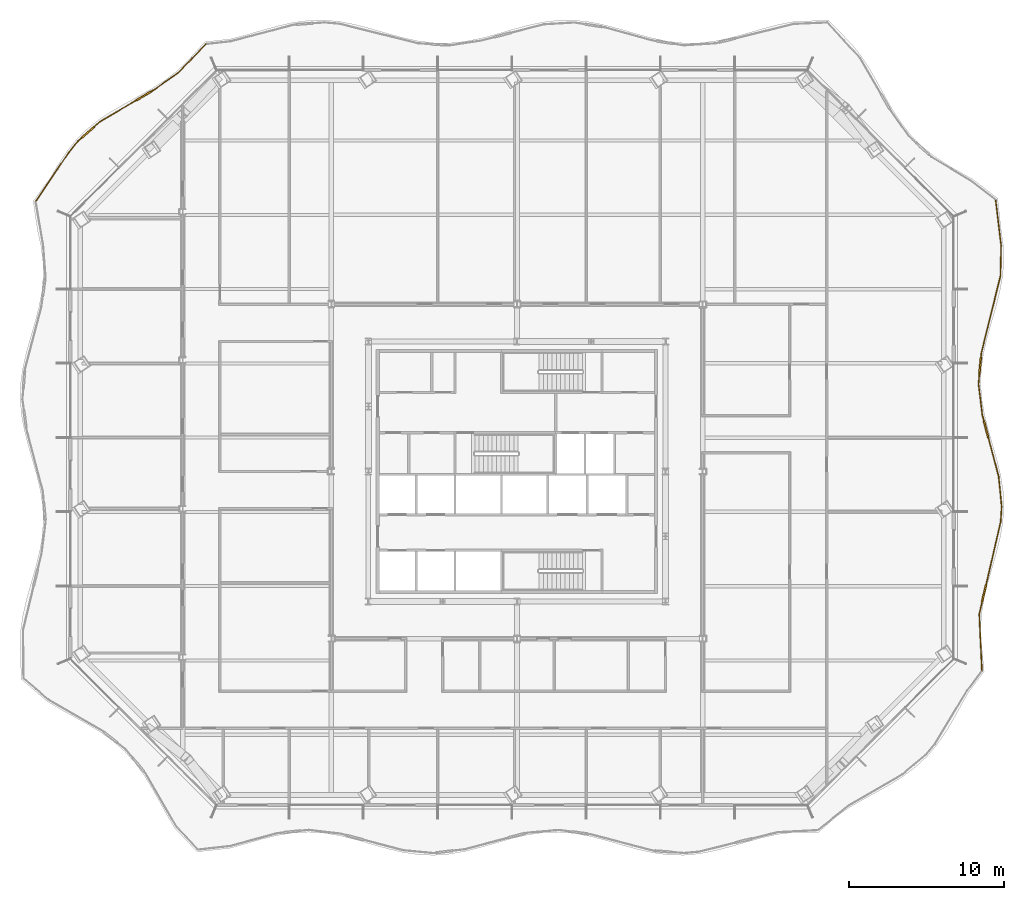
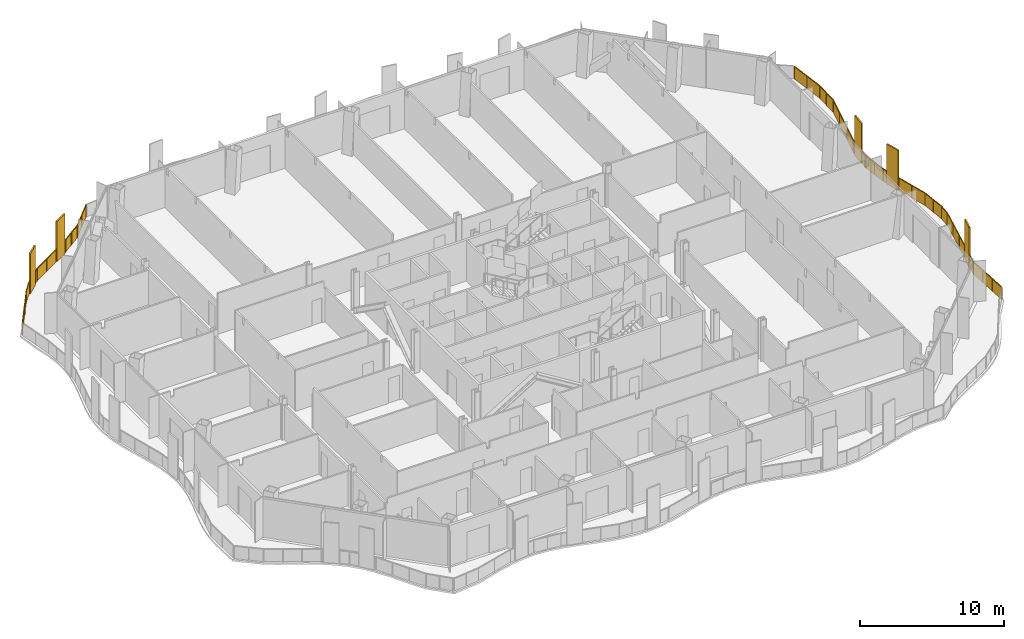
# One storey, part 20 of 22: 2 railings.
"""IFC4 building model written with IfcOpenShell, lengths in metres."""

from ifc_helpers import new_model, si_unit, direction, frame, origin, origin_2d, place, context, subcontext, project, spatial, polyline, rectangle, outline, extrude, material, type_object, element, save


model = new_model("IFC4")

# Units and contexts
model_context = context("Model", 3, precision=1e-05, world=origin(), true_north=direction((0.0, 1.0)))
body_context = subcontext(model_context, "Body", "Model", "MODEL_VIEW")
ifc_project = project(units=[si_unit("LENGTHUNIT", "METRE"), si_unit("AREAUNIT", "SQUARE_METRE"), si_unit("VOLUMEUNIT", "CUBIC_METRE"), si_unit("PLANEANGLEUNIT", "RADIAN"), si_unit("MASSUNIT", "GRAM", prefix="KILO")], contexts=[model_context])

# Site, building, storey
site_placement = place(None, origin())
site = spatial("IfcSite", under=ifc_project, at=site_placement, CompositionType="ELEMENT")
building_placement = place(site_placement, origin())
building = spatial("IfcBuilding", under=site, at=building_placement, Name="Cairn Pilgrim Tower", CompositionType="ELEMENT")
storey_placement = place(building_placement, frame((0.0, 0.0, 112.199951171875)))
storey = spatial("IfcBuildingStorey", under=building, at=storey_placement, Name="L27", CompositionType="ELEMENT", Elevation=112.199951171875)

# Railings
ifc_material = material(Name="Bronze anodised aluminium rail, posts and fin screens with laminated glass infill", Category="aluminium")
railing_type = type_object("IfcRailingType", Name="BALCONY GUARD WITH FIN SCREENS", PredefinedType="GUARDRAIL", material=ifc_material)
railing_1_placement = place(storey_placement, frame((37.251708984375, -10.48095703125, 0.0)))
element("IfcRailing", 1, at=railing_1_placement, inside=storey, type_object=railing_type, Name="Balcony guard BGF-3 with fin screens", PredefinedType="GUARDRAIL", context=body_context, shape_type="SweptSolid", body=[
    extrude(rectangle(XDim=0.050048828125, YDim=0.050048828125, at=origin_2d()), frame((0.0, 0.0, 1.0751953125), z_axis=(-0.046637651631, 0.998911872715, 0.0), x_axis=(-0.998911872715, -0.046637651631, 0.0)), (0.0, 0.0, 1.0), 3.664306640625),
    extrude(rectangle(XDim=1.10009765625, YDim=0.110107421875, at=origin_2d()), frame((0.142333984375, 5.01220703125, 0.0), z_axis=(0.0, 0.0, 1.0), x_axis=(0.225758915707, 0.974183202472, 0.0)), (0.0, 0.0, 1.0), 3.39990234375),
    extrude(rectangle(XDim=0.050048828125, YDim=0.050048828125, at=origin_2d()), frame((-0.1708984375, 3.660400390625, 1.0751953125), z_axis=(0.225758915707, 0.974183202472, 0.0), x_axis=(-0.974183202472, 0.225758915707, 0.0)), (0.0, 0.0, 1.0), 0.83740234375),
    extrude(rectangle(XDim=0.050048828125, YDim=0.050048828125, at=origin_2d()), frame((0.2666015625, 5.5478515625, 1.0751953125), z_axis=(0.225758915707, 0.974183202472, 0.0), x_axis=(-0.974183202472, 0.225758915707, 0.0)), (0.0, 0.0, 1.0), 4.187744140625),
    extrude(rectangle(XDim=0.050048828125, YDim=0.050048828125, at=origin_2d()), frame((1.2119140625, 9.62744140625, 1.0751953125), z_axis=(0.066902955289, 0.997759487338, 0.0), x_axis=(-0.997759487338, 0.066902955289, 0.0)), (0.0, 0.0, 1.0), 0.970703125),
    extrude(rectangle(XDim=0.050048828125, YDim=0.050048828125, at=origin_2d()), frame((1.27685546875, 10.595947265625, 1.0751953125), z_axis=(-0.098951920377, 0.995092215553, 0.0), x_axis=(-0.995092215553, -0.098951920377, 0.0)), (0.0, 0.0, 1.0), 1.971435546875),
    extrude(rectangle(XDim=1.10009765625, YDim=0.110107421875, at=origin_2d()), frame((0.26904296875, 15.6220703125, 0.0), z_axis=(0.0, 0.0, 1.0), x_axis=(-0.256382575682, 0.966575384999, 0.0)), (0.0, 0.0, 1.0), 3.39990234375),
    extrude(rectangle(XDim=0.050048828125, YDim=0.050048828125, at=origin_2d()), frame((1.081787109375, 12.5576171875, 1.0751953125), z_axis=(-0.256382575682, 0.966575384999, 0.0), x_axis=(-0.966575384999, -0.256382575682, 0.0)), (0.0, 0.0, 1.0), 2.620361328125),
    extrude(rectangle(XDim=0.050048828125, YDim=0.050048828125, at=origin_2d()), frame((0.1279296875, 16.153564453125, 1.0751953125), z_axis=(-0.256382575682, 0.966575384999, 0.0), x_axis=(-0.966575384999, -0.256382575682, 0.0)), (0.0, 0.0, 1.0), 0.3876953125),
    extrude(rectangle(XDim=0.050048828125, YDim=0.050048828125, at=origin_2d()), frame((0.028564453125, 16.5283203125, 1.0751953125), z_axis=(-0.123516131403, 0.992342564482, 0.0), x_axis=(-0.992342564482, -0.123516131403, 0.0)), (0.0, 0.0, 1.0), 2.028076171875),
    extrude(rectangle(XDim=1.10009765625, YDim=0.110107421875, at=origin_2d()), frame((-0.11279296875, 19.707275390625, 0.0), z_axis=(0.0, 0.0, 1.0), x_axis=(0.093191129914, 0.995648237735, 0.0)), (0.0, 0.0, 1.0), 3.39990234375),
    extrude(rectangle(XDim=0.050048828125, YDim=0.050048828125, at=origin_2d()), frame((-0.221923828125, 18.540771484375, 1.0751953125), z_axis=(0.093191129914, 0.995648237735, 0.0), x_axis=(-0.995648237735, 0.093191129914, 0.0)), (0.0, 0.0, 1.0), 0.62158203125),
    extrude(rectangle(XDim=0.050048828125, YDim=0.050048828125, at=origin_2d()), frame((-0.0615234375, 20.2548828125, 1.0751953125), z_axis=(0.093191129914, 0.995648237735, 0.0), x_axis=(-0.995648237735, 0.093191129914, 0.0)), (0.0, 0.0, 1.0), 0.30078125),
    extrude(rectangle(XDim=0.050048828125, YDim=0.050048828125, at=origin_2d()), frame((-0.033447265625, 20.554443359375, 1.0751953125), z_axis=(0.240759309664, 0.970584851937, 0.0), x_axis=(-0.970584851937, 0.240759309664, 0.0)), (0.0, 0.0, 1.0), 5.11083984375),
    extrude(rectangle(XDim=0.050048828125, YDim=0.050048828125, at=origin_2d()), frame((1.197021484375, 25.514892578125, 1.0751953125), z_axis=(0.022800651264, 0.999740031359, 0.0), x_axis=(-0.999740031359, 0.022800651264, 0.0)), (0.0, 0.0, 1.0), 1.95947265625),
    extrude(rectangle(XDim=0.050048828125, YDim=0.050048828125, at=origin_2d()), frame((1.24169921875, 27.473876953125, 1.0751953125), z_axis=(-0.11918438469, 0.992872138015, 0.0), x_axis=(-0.992872138015, -0.11918438469, 0.0)), (0.0, 0.0, 1.0), 2.94970703125),
    extrude(rectangle(XDim=0.050048828125, YDim=0.050048828125, at=origin_2d()), origin(), (0.0, 0.0, 1.0), 1.050048828125),
    extrude(rectangle(XDim=0.050048828125, YDim=0.050048828125, at=origin_2d()), frame((-0.056884765625, 1.22021484375, 0.0)), (0.0, 0.0, 1.0), 1.050048828125),
    extrude(rectangle(XDim=0.050048828125, YDim=0.050048828125, at=origin_2d()), frame((-0.114013671875, 2.440185546875, 0.0)), (0.0, 0.0, 1.0), 1.050048828125),
    extrude(rectangle(XDim=0.050048828125, YDim=0.050048828125, at=origin_2d()), frame((-0.1708984375, 3.660400390625, 0.0)), (0.0, 0.0, 1.0), 1.050048828125),
    extrude(rectangle(XDim=0.050048828125, YDim=0.050048828125, at=origin_2d()), frame((0.012451171875, 4.451904296875, 0.0)), (0.0, 0.0, 1.0), 1.050048828125),
    extrude(rectangle(XDim=0.050048828125, YDim=0.050048828125, at=origin_2d()), frame((0.272216796875, 5.572265625, 0.0)), (0.0, 0.0, 1.0), 1.050048828125),
    extrude(rectangle(XDim=0.050048828125, YDim=0.050048828125, at=origin_2d()), frame((0.58544921875, 6.924072265625, 0.0)), (0.0, 0.0, 1.0), 1.050048828125),
    extrude(rectangle(XDim=0.050048828125, YDim=0.050048828125, at=origin_2d()), frame((0.898681640625, 8.275634765625, 0.0)), (0.0, 0.0, 1.0), 1.050048828125),
    extrude(rectangle(XDim=0.050048828125, YDim=0.050048828125, at=origin_2d()), frame((1.2119140625, 9.62744140625, 0.0)), (0.0, 0.0, 1.0), 1.050048828125),
    extrude(rectangle(XDim=0.050048828125, YDim=0.050048828125, at=origin_2d()), frame((1.27685546875, 10.595947265625, 0.0)), (0.0, 0.0, 1.0), 1.050048828125),
    extrude(rectangle(XDim=0.050048828125, YDim=0.050048828125, at=origin_2d()), frame((1.17919921875, 11.57666015625, 0.0)), (0.0, 0.0, 1.0), 1.050048828125),
    extrude(rectangle(XDim=0.050048828125, YDim=0.050048828125, at=origin_2d()), frame((1.081787109375, 12.5576171875, 0.0)), (0.0, 0.0, 1.0), 1.050048828125),
    extrude(rectangle(XDim=0.050048828125, YDim=0.050048828125, at=origin_2d()), frame((0.7490234375, 13.811767578125, 0.0)), (0.0, 0.0, 1.0), 1.050048828125),
    extrude(rectangle(XDim=0.050048828125, YDim=0.050048828125, at=origin_2d()), frame((0.41650390625, 15.066162109375, 0.0)), (0.0, 0.0, 1.0), 1.050048828125),
    extrude(rectangle(XDim=0.050048828125, YDim=0.050048828125, at=origin_2d()), frame((0.12158203125, 16.177734375, 0.0)), (0.0, 0.0, 1.0), 1.050048828125),
    extrude(rectangle(XDim=0.050048828125, YDim=0.050048828125, at=origin_2d()), frame((0.028564453125, 16.5283203125, 0.0)), (0.0, 0.0, 1.0), 1.050048828125),
    extrude(rectangle(XDim=0.050048828125, YDim=0.050048828125, at=origin_2d()), frame((-0.0966796875, 17.53466796875, 0.0)), (0.0, 0.0, 1.0), 1.050048828125),
    extrude(rectangle(XDim=0.050048828125, YDim=0.050048828125, at=origin_2d()), frame((-0.221923828125, 18.540771484375, 0.0)), (0.0, 0.0, 1.0), 1.050048828125),
    extrude(rectangle(XDim=0.050048828125, YDim=0.050048828125, at=origin_2d()), frame((-0.166259765625, 19.134765625, 0.0)), (0.0, 0.0, 1.0), 1.050048828125),
    extrude(rectangle(XDim=0.050048828125, YDim=0.050048828125, at=origin_2d()), frame((-0.05908203125, 20.27978515625, 0.0)), (0.0, 0.0, 1.0), 1.050048828125),
    extrude(rectangle(XDim=0.050048828125, YDim=0.050048828125, at=origin_2d()), frame((-0.033447265625, 20.554443359375, 0.0)), (0.0, 0.0, 1.0), 1.050048828125),
    extrude(rectangle(XDim=0.050048828125, YDim=0.050048828125, at=origin_2d()), frame((0.376708984375, 22.2080078125, 0.0)), (0.0, 0.0, 1.0), 1.050048828125),
    extrude(rectangle(XDim=0.050048828125, YDim=0.050048828125, at=origin_2d()), frame((0.786865234375, 23.861328125, 0.0)), (0.0, 0.0, 1.0), 1.050048828125),
    extrude(rectangle(XDim=0.050048828125, YDim=0.050048828125, at=origin_2d()), frame((1.197021484375, 25.514892578125, 0.0)), (0.0, 0.0, 1.0), 1.050048828125),
    extrude(rectangle(XDim=0.050048828125, YDim=0.050048828125, at=origin_2d()), frame((1.21923828125, 26.494384765625, 0.0)), (0.0, 0.0, 1.0), 1.050048828125),
    extrude(rectangle(XDim=0.050048828125, YDim=0.050048828125, at=origin_2d()), frame((1.24169921875, 27.473876953125, 0.0)), (0.0, 0.0, 1.0), 1.050048828125),
    extrude(rectangle(XDim=0.050048828125, YDim=0.050048828125, at=origin_2d()), frame((1.06591796875, 28.938232421875, 0.0)), (0.0, 0.0, 1.0), 1.050048828125),
    extrude(rectangle(XDim=0.050048828125, YDim=0.050048828125, at=origin_2d()), frame((0.89013671875, 30.402587890625, 0.0)), (0.0, 0.0, 1.0), 1.050048828125),
    extrude(outline(polyline([(0.02490234375, 0.0), (1.196533203125, 0.0), (1.196533203125, 1.050048828125), (0.02490234375, 1.050048828125), (0.02490234375, 0.0)])), frame((-0.005859375, -0.000244140625, 0.0), z_axis=(0.998911872715, 0.046637651631, 0.0), x_axis=(-0.046637651631, 0.998911872715, 0.0)), (0.0, 0.0, 1.0), 0.011962890625),
    extrude(outline(polyline([(0.02490234375, 0.0), (1.196533203125, 0.0), (1.196533203125, 1.050048828125), (0.02490234375, 1.050048828125), (0.02490234375, 0.0)])), frame((-0.06298828125, 1.219970703125, 0.0), z_axis=(0.998911872715, 0.046637651631, 0.0), x_axis=(-0.046637651631, 0.998911872715, 0.0)), (0.0, 0.0, 1.0), 0.011962890625),
    extrude(outline(polyline([(0.02490234375, 0.0), (1.196533203125, 0.0), (1.196533203125, 1.050048828125), (0.02490234375, 1.050048828125), (0.02490234375, 0.0)])), frame((-0.119873046875, 2.43994140625, 0.0), z_axis=(0.998911872715, 0.046637651631, 0.0), x_axis=(-0.046637651631, 0.998911872715, 0.0)), (0.0, 0.0, 1.0), 0.011962890625),
    extrude(outline(polyline([(0.02490234375, 0.0), (0.787353515625, 0.0), (0.787353515625, 1.050048828125), (0.02490234375, 1.050048828125), (0.02490234375, 0.0)])), frame((-0.1767578125, 3.661865234375, 0.0), z_axis=(0.974183202472, -0.225758915707, 0.0), x_axis=(0.225758915707, 0.974183202472, 0.0)), (0.0, 0.0, 1.0), 0.011962890625),
    extrude(outline(polyline([(0.02490234375, 0.0), (1.362548828125, 0.0), (1.362548828125, 1.050048828125), (0.02490234375, 1.050048828125), (0.02490234375, 0.0)])), frame((0.266357421875, 5.57373046875, 0.0), z_axis=(0.974183202472, -0.225758915707, 0.0), x_axis=(0.225758915707, 0.974183202472, 0.0)), (0.0, 0.0, 1.0), 0.011962890625),
    extrude(outline(polyline([(0.02490234375, 0.0), (1.362548828125, 0.0), (1.362548828125, 1.050048828125), (0.02490234375, 1.050048828125), (0.02490234375, 0.0)])), frame((0.57958984375, 6.92529296875, 0.0), z_axis=(0.974183202472, -0.225758915707, 0.0), x_axis=(0.225758915707, 0.974183202472, 0.0)), (0.0, 0.0, 1.0), 0.011962890625),
    extrude(outline(polyline([(0.02490234375, 0.0), (1.362548828125, 0.0), (1.362548828125, 1.050048828125), (0.02490234375, 1.050048828125), (0.02490234375, 0.0)])), frame((0.892822265625, 8.277099609375, 0.0), z_axis=(0.974183202472, -0.225758915707, 0.0), x_axis=(0.225758915707, 0.974183202472, 0.0)), (0.0, 0.0, 1.0), 0.011962890625),
    extrude(outline(polyline([(0.02490234375, 0.0), (0.945556640625, 0.0), (0.945556640625, 1.050048828125), (0.02490234375, 1.050048828125), (0.02490234375, 0.0)])), frame((1.2060546875, 9.6279296875, 0.0), z_axis=(0.997759487338, -0.066902955289, 0.0), x_axis=(0.066902955289, 0.997759487338, 0.0)), (0.0, 0.0, 1.0), 0.011962890625),
    extrude(outline(polyline([(0.02490234375, 0.0), (0.960693359375, 0.0), (0.960693359375, 1.050048828125), (0.02490234375, 1.050048828125), (0.02490234375, 0.0)])), frame((1.27099609375, 10.595458984375, 0.0), z_axis=(0.995092215553, 0.098951920377, 0.0), x_axis=(-0.098951920377, 0.995092215553, 0.0)), (0.0, 0.0, 1.0), 0.011962890625),
    extrude(outline(polyline([(0.02490234375, 0.0), (0.960693359375, 0.0), (0.960693359375, 1.050048828125), (0.02490234375, 1.050048828125), (0.02490234375, 0.0)])), frame((1.17333984375, 11.576171875, 0.0), z_axis=(0.995092215553, 0.098951920377, 0.0), x_axis=(-0.098951920377, 0.995092215553, 0.0)), (0.0, 0.0, 1.0), 0.011962890625),
    extrude(outline(polyline([(0.02490234375, 0.0), (1.272705078125, 0.0), (1.272705078125, 1.050048828125), (0.02490234375, 1.050048828125), (0.02490234375, 0.0)])), frame((1.075927734375, 12.55615234375, 0.0), z_axis=(0.966575384999, 0.256382575682, 0.0), x_axis=(-0.256382575682, 0.966575384999, 0.0)), (0.0, 0.0, 1.0), 0.011962890625),
    extrude(outline(polyline([(0.02490234375, 0.0), (1.272705078125, 0.0), (1.272705078125, 1.050048828125), (0.02490234375, 1.050048828125), (0.02490234375, 0.0)])), frame((0.743408203125, 13.810302734375, 0.0), z_axis=(0.966575384999, 0.256382575682, 0.0), x_axis=(-0.256382575682, 0.966575384999, 0.0)), (0.0, 0.0, 1.0), 0.011962890625),
    extrude(outline(polyline([(0.02490234375, 0.0), (0.337646484375, 0.0), (0.337646484375, 1.050048828125), (0.02490234375, 1.050048828125), (0.02490234375, 0.0)])), frame((0.11572265625, 16.17626953125, 0.0), z_axis=(0.966575384999, 0.256382575682, 0.0), x_axis=(-0.256382575682, 0.966575384999, 0.0)), (0.0, 0.0, 1.0), 0.011962890625),
    extrude(outline(polyline([(0.02490234375, 0.0), (0.989013671875, 0.0), (0.989013671875, 1.050048828125), (0.02490234375, 1.050048828125), (0.02490234375, 0.0)])), frame((0.022705078125, 16.527587890625, 0.0), z_axis=(0.992342564482, 0.123516131403, 0.0), x_axis=(-0.123516131403, 0.992342564482, 0.0)), (0.0, 0.0, 1.0), 0.011962890625),
    extrude(outline(polyline([(0.02490234375, 0.0), (0.989013671875, 0.0), (0.989013671875, 1.050048828125), (0.02490234375, 1.050048828125), (0.02490234375, 0.0)])), frame((-0.1025390625, 17.53369140625, 0.0), z_axis=(0.992342564482, 0.123516131403, 0.0), x_axis=(-0.123516131403, 0.992342564482, 0.0)), (0.0, 0.0, 1.0), 0.011962890625),
    extrude(outline(polyline([(0.02490234375, 0.0), (0.571533203125, 0.0), (0.571533203125, 1.050048828125), (0.02490234375, 1.050048828125), (0.02490234375, 0.0)])), frame((-0.227783203125, 18.541259765625, 0.0), z_axis=(0.995648237735, -0.093191129914, 0.0), x_axis=(0.093191129914, 0.995648237735, 0.0)), (0.0, 0.0, 1.0), 0.011962890625),
    extrude(outline(polyline([(0.02490234375, 0.0), (0.250732421875, 0.0), (0.250732421875, 1.050048828125), (0.02490234375, 1.050048828125), (0.02490234375, 0.0)])), frame((-0.065185546875, 20.2802734375, 0.0), z_axis=(0.995648237735, -0.093191129914, 0.0), x_axis=(0.093191129914, 0.995648237735, 0.0)), (0.0, 0.0, 1.0), 0.011962890625),
    extrude(outline(polyline([(0.02490234375, 0.0), (1.678466796875, 0.0), (1.678466796875, 1.050048828125), (0.02490234375, 1.050048828125), (0.02490234375, 0.0)])), frame((-0.039306640625, 20.555908203125, 0.0), z_axis=(0.970584851937, -0.240759309664, 0.0), x_axis=(0.240759309664, 0.970584851937, 0.0)), (0.0, 0.0, 1.0), 0.011962890625),
    extrude(outline(polyline([(0.02490234375, 0.0), (1.678466796875, 0.0), (1.678466796875, 1.050048828125), (0.02490234375, 1.050048828125), (0.02490234375, 0.0)])), frame((0.370849609375, 22.20947265625, 0.0), z_axis=(0.970584851937, -0.240759309664, 0.0), x_axis=(0.240759309664, 0.970584851937, 0.0)), (0.0, 0.0, 1.0), 0.011962890625),
    extrude(outline(polyline([(0.02490234375, 0.0), (1.678466796875, 0.0), (1.678466796875, 1.050048828125), (0.02490234375, 1.050048828125), (0.02490234375, 0.0)])), frame((0.781005859375, 23.86279296875, 0.0), z_axis=(0.970584851937, -0.240759309664, 0.0), x_axis=(0.240759309664, 0.970584851937, 0.0)), (0.0, 0.0, 1.0), 0.011962890625),
    extrude(outline(polyline([(0.02490234375, 0.0), (0.954833984375, 0.0), (0.954833984375, 1.050048828125), (0.02490234375, 1.050048828125), (0.02490234375, 0.0)])), frame((1.191162109375, 25.51513671875, 0.0), z_axis=(0.999740031359, -0.022800651264, 0.0), x_axis=(0.022800651264, 0.999740031359, 0.0)), (0.0, 0.0, 1.0), 0.011962890625),
    extrude(outline(polyline([(0.02490234375, 0.0), (0.954833984375, 0.0), (0.954833984375, 1.050048828125), (0.02490234375, 1.050048828125), (0.02490234375, 0.0)])), frame((1.21337890625, 26.49462890625, 0.0), z_axis=(0.999740031359, -0.022800651264, 0.0), x_axis=(0.022800651264, 0.999740031359, 0.0)), (0.0, 0.0, 1.0), 0.011962890625),
    extrude(outline(polyline([(0.02490234375, 0.0), (1.449951171875, 0.0), (1.449951171875, 1.050048828125), (0.02490234375, 1.050048828125), (0.02490234375, 0.0)])), frame((1.23583984375, 27.47314453125, 0.0), z_axis=(0.992872138015, 0.11918438469, 0.0), x_axis=(-0.11918438469, 0.992872138015, 0.0)), (0.0, 0.0, 1.0), 0.011962890625),
    extrude(outline(polyline([(0.02490234375, 0.0), (1.449951171875, 0.0), (1.449951171875, 1.050048828125), (0.02490234375, 1.050048828125), (0.02490234375, 0.0)])), frame((1.06005859375, 28.9375, 0.0), z_axis=(0.992872138015, 0.11918438469, 0.0), x_axis=(-0.11918438469, 0.992872138015, 0.0)), (0.0, 0.0, 1.0), 0.011962890625),
])
railing_2_placement = place(storey_placement, frame((-12.907470703125, 30.031494140625, 0.0)))
element("IfcRailing", 2, at=railing_2_placement, inside=storey, type_object=railing_type, Name="Balcony guard BGF-6 with fin screens", PredefinedType="GUARDRAIL", context=body_context, shape_type="SweptSolid", body=[
    extrude(rectangle(XDim=0.050048828125, YDim=0.050048828125, at=origin_2d()), frame((0.0, 0.0, 1.0751953125), z_axis=(-0.690453048919, -0.72337720951, 0.0), x_axis=(0.72337720951, -0.690453048919, 0.0)), (0.0, 0.0, 1.0), 2.558349609375),
    extrude(rectangle(XDim=0.050048828125, YDim=0.050048828125, at=origin_2d()), frame((-1.766357421875, -1.8505859375, 1.0751953125), z_axis=(-0.818169856103, -0.574976596536, 0.0), x_axis=(0.574976596536, -0.818169856103, 0.0)), (0.0, 0.0, 1.0), 1.98974609375),
    extrude(rectangle(XDim=1.10009765625, YDim=0.110107421875, at=origin_2d()), frame((-3.998046875, -3.34912109375, 0.0), z_axis=(0.0, 0.0, 1.0), x_axis=(-0.862360743069, -0.50629433022, 0.0)), (0.0, 0.0, 1.0), 3.39990234375),
    extrude(rectangle(XDim=0.050048828125, YDim=0.050048828125, at=origin_2d()), frame((-3.394287109375, -2.99462890625, 1.0751953125), z_axis=(-0.862360743069, -0.50629433022, 0.0), x_axis=(0.50629433022, -0.862360743069, 0.0)), (0.0, 0.0, 1.0), 0.14990234375),
    extrude(rectangle(XDim=0.050048828125, YDim=0.050048828125, at=origin_2d()), frame((-4.47216796875, -3.62744140625, 1.0751953125), z_axis=(-0.862360743069, -0.50629433022, 0.0), x_axis=(0.50629433022, -0.862360743069, 0.0)), (0.0, 0.0, 1.0), 2.74951171875),
    extrude(rectangle(XDim=1.10009765625, YDim=0.110107421875, at=origin_2d()), frame((-7.635009765625, -5.72412109375, 0.0), z_axis=(0.0, 0.0, 1.0), x_axis=(-0.747008429939, -0.664814564823, 0.0)), (0.0, 0.0, 1.0), 3.39990234375),
    extrude(rectangle(XDim=0.050048828125, YDim=0.050048828125, at=origin_2d()), frame((-6.84326171875, -5.01953125, 1.0751953125), z_axis=(-0.747008429939, -0.664814564823, 0.0), x_axis=(0.664814564823, -0.747008429939, 0.0)), (0.0, 0.0, 1.0), 0.510009765625),
    extrude(rectangle(XDim=0.050048828125, YDim=0.050048828125, at=origin_2d()), frame((-8.0458984375, -6.08984375, 1.0751953125), z_axis=(-0.747008429939, -0.664814564823, 0.0), x_axis=(0.664814564823, -0.747008429939, 0.0)), (0.0, 0.0, 1.0), 0.305908203125),
    extrude(rectangle(XDim=0.050048828125, YDim=0.050048828125, at=origin_2d()), frame((-8.2744140625, -6.293212890625, 1.0751953125), z_axis=(-0.629323074443, -0.77714378848, 0.0), x_axis=(0.77714378848, -0.629323074443, 0.0)), (0.0, 0.0, 1.0), 0.956298828125),
    extrude(rectangle(XDim=0.050048828125, YDim=0.050048828125, at=origin_2d()), frame((-8.876220703125, -7.036376953125, 1.0751953125), z_axis=(-0.560389616553, -0.828229121475, 0.0), x_axis=(0.828229121475, -0.560389616553, 0.0)), (0.0, 0.0, 1.0), 3.74462890625),
    extrude(rectangle(XDim=0.050048828125, YDim=0.050048828125, at=origin_2d()), origin(), (0.0, 0.0, 1.0), 1.050048828125),
    extrude(rectangle(XDim=0.050048828125, YDim=0.050048828125, at=origin_2d()), frame((-0.88330078125, -0.92529296875, 0.0)), (0.0, 0.0, 1.0), 1.050048828125),
    extrude(rectangle(XDim=0.050048828125, YDim=0.050048828125, at=origin_2d()), frame((-1.766357421875, -1.8505859375, 0.0)), (0.0, 0.0, 1.0), 1.050048828125),
    extrude(rectangle(XDim=0.050048828125, YDim=0.050048828125, at=origin_2d()), frame((-2.580322265625, -2.422607421875, 0.0)), (0.0, 0.0, 1.0), 1.050048828125),
    extrude(rectangle(XDim=0.050048828125, YDim=0.050048828125, at=origin_2d()), frame((-3.394287109375, -2.99462890625, 0.0)), (0.0, 0.0, 1.0), 1.050048828125),
    extrude(rectangle(XDim=0.050048828125, YDim=0.050048828125, at=origin_2d()), frame((-3.502197265625, -3.057861328125, 0.0)), (0.0, 0.0, 1.0), 1.050048828125),
    extrude(rectangle(XDim=0.050048828125, YDim=0.050048828125, at=origin_2d()), frame((-4.493896484375, -3.64013671875, 0.0)), (0.0, 0.0, 1.0), 1.050048828125),
    extrude(rectangle(XDim=0.050048828125, YDim=0.050048828125, at=origin_2d()), frame((-5.66845703125, -4.329833984375, 0.0)), (0.0, 0.0, 1.0), 1.050048828125),
    extrude(rectangle(XDim=0.050048828125, YDim=0.050048828125, at=origin_2d()), frame((-6.84326171875, -5.01953125, 0.0)), (0.0, 0.0, 1.0), 1.050048828125),
    extrude(rectangle(XDim=0.050048828125, YDim=0.050048828125, at=origin_2d()), frame((-7.20556640625, -5.342041015625, 0.0)), (0.0, 0.0, 1.0), 1.050048828125),
    extrude(rectangle(XDim=0.050048828125, YDim=0.050048828125, at=origin_2d()), frame((-8.064697265625, -6.1064453125, 0.0)), (0.0, 0.0, 1.0), 1.050048828125),
    extrude(rectangle(XDim=0.050048828125, YDim=0.050048828125, at=origin_2d()), frame((-8.2744140625, -6.293212890625, 0.0)), (0.0, 0.0, 1.0), 1.050048828125),
    extrude(rectangle(XDim=0.050048828125, YDim=0.050048828125, at=origin_2d()), frame((-8.876220703125, -7.036376953125, 0.0)), (0.0, 0.0, 1.0), 1.050048828125),
    extrude(rectangle(XDim=0.050048828125, YDim=0.050048828125, at=origin_2d()), frame((-9.57568359375, -8.070068359375, 0.0)), (0.0, 0.0, 1.0), 1.050048828125),
    extrude(rectangle(XDim=0.050048828125, YDim=0.050048828125, at=origin_2d()), frame((-10.275146484375, -9.10400390625, 0.0)), (0.0, 0.0, 1.0), 1.050048828125),
    extrude(rectangle(XDim=0.050048828125, YDim=0.050048828125, at=origin_2d()), frame((-10.974609375, -10.1376953125, 0.0)), (0.0, 0.0, 1.0), 1.050048828125),
    extrude(outline(polyline([(0.02490234375, 0.0), (1.254150390625, 0.0), (1.254150390625, 1.050048828125), (0.02490234375, 1.050048828125), (0.02490234375, 0.0)])), frame((0.00439453125, -0.004150390625, 0.0), z_axis=(-0.72337720951, 0.690453048919, 0.0), x_axis=(-0.690453048919, -0.72337720951, 0.0)), (0.0, 0.0, 1.0), 0.011962890625),
    extrude(outline(polyline([(0.02490234375, 0.0), (1.254150390625, 0.0), (1.254150390625, 1.050048828125), (0.02490234375, 1.050048828125), (0.02490234375, 0.0)])), frame((-0.87890625, -0.929443359375, 0.0), z_axis=(-0.72337720951, 0.690453048919, 0.0), x_axis=(-0.690453048919, -0.72337720951, 0.0)), (0.0, 0.0, 1.0), 0.011962890625),
    extrude(outline(polyline([(0.02490234375, 0.0), (0.9697265625, 0.0), (0.9697265625, 1.050048828125), (0.02490234375, 1.050048828125), (0.02490234375, 0.0)])), frame((-1.762939453125, -1.85546875, 0.0), z_axis=(-0.574976596536, 0.818169856103, 0.0), x_axis=(-0.818169856103, -0.574976596536, 0.0)), (0.0, 0.0, 1.0), 0.011962890625),
    extrude(outline(polyline([(0.02490234375, 0.0), (0.9697265625, 0.0), (0.9697265625, 1.050048828125), (0.02490234375, 1.050048828125), (0.02490234375, 0.0)])), frame((-2.576904296875, -2.427490234375, 0.0), z_axis=(-0.574976596536, 0.818169856103, 0.0), x_axis=(-0.818169856103, -0.574976596536, 0.0)), (0.0, 0.0, 1.0), 0.011962890625),
    extrude(outline(polyline([(0.02490234375, 0.0), (0.099853515625, 0.0), (0.099853515625, 1.050048828125), (0.02490234375, 1.050048828125), (0.02490234375, 0.0)])), frame((-3.391357421875, -2.999755859375, 0.0), z_axis=(-0.50629433022, 0.862360743069, 0.0), x_axis=(-0.862360743069, -0.50629433022, 0.0)), (0.0, 0.0, 1.0), 0.011962890625),
    extrude(outline(polyline([(0.02490234375, 0.0), (1.337158203125, 0.0), (1.337158203125, 1.050048828125), (0.02490234375, 1.050048828125), (0.02490234375, 0.0)])), frame((-4.49072265625, -3.645263671875, 0.0), z_axis=(-0.50629433022, 0.862360743069, 0.0), x_axis=(-0.862360743069, -0.50629433022, 0.0)), (0.0, 0.0, 1.0), 0.011962890625),
    extrude(outline(polyline([(0.02490234375, 0.0), (1.337158203125, 0.0), (1.337158203125, 1.050048828125), (0.02490234375, 1.050048828125), (0.02490234375, 0.0)])), frame((-5.66552734375, -4.3349609375, 0.0), z_axis=(-0.50629433022, 0.862360743069, 0.0), x_axis=(-0.862360743069, -0.50629433022, 0.0)), (0.0, 0.0, 1.0), 0.011962890625),
    extrude(outline(polyline([(0.02490234375, 0.0), (0.4599609375, 0.0), (0.4599609375, 1.050048828125), (0.02490234375, 1.050048828125), (0.02490234375, 0.0)])), frame((-6.83935546875, -5.02392578125, 0.0), z_axis=(-0.664814564823, 0.747008429939, 0.0), x_axis=(-0.747008429939, -0.664814564823, 0.0)), (0.0, 0.0, 1.0), 0.011962890625),
    extrude(outline(polyline([(0.02490234375, 0.0), (0.255859375, 0.0), (0.255859375, 1.050048828125), (0.02490234375, 1.050048828125), (0.02490234375, 0.0)])), frame((-8.060546875, -6.111083984375, 0.0), z_axis=(-0.664814564823, 0.747008429939, 0.0), x_axis=(-0.747008429939, -0.664814564823, 0.0)), (0.0, 0.0, 1.0), 0.011962890625),
    extrude(outline(polyline([(0.02490234375, 0.0), (0.93115234375, 0.0), (0.93115234375, 1.050048828125), (0.02490234375, 1.050048828125), (0.02490234375, 0.0)])), frame((-8.269775390625, -6.296875, 0.0), z_axis=(-0.77714378848, 0.629323074443, 0.0), x_axis=(-0.629323074443, -0.77714378848, 0.0)), (0.0, 0.0, 1.0), 0.011962890625),
    extrude(outline(polyline([(0.02490234375, 0.0), (1.22314453125, 0.0), (1.22314453125, 1.050048828125), (0.02490234375, 1.050048828125), (0.02490234375, 0.0)])), frame((-8.871337890625, -7.039794921875, 0.0), z_axis=(-0.828229121475, 0.560389616553, 0.0), x_axis=(-0.560389616553, -0.828229121475, 0.0)), (0.0, 0.0, 1.0), 0.011962890625),
    extrude(outline(polyline([(0.02490234375, 0.0), (1.22314453125, 0.0), (1.22314453125, 1.050048828125), (0.02490234375, 1.050048828125), (0.02490234375, 0.0)])), frame((-9.57080078125, -8.073486328125, 0.0), z_axis=(-0.828229121475, 0.560389616553, 0.0), x_axis=(-0.560389616553, -0.828229121475, 0.0)), (0.0, 0.0, 1.0), 0.011962890625),
    extrude(outline(polyline([(0.02490234375, 0.0), (1.22314453125, 0.0), (1.22314453125, 1.050048828125), (0.02490234375, 1.050048828125), (0.02490234375, 0.0)])), frame((-10.270263671875, -9.107177734375, 0.0), z_axis=(-0.828229121475, 0.560389616553, 0.0), x_axis=(-0.560389616553, -0.828229121475, 0.0)), (0.0, 0.0, 1.0), 0.011962890625),
])

save(model, "model.ifc")
